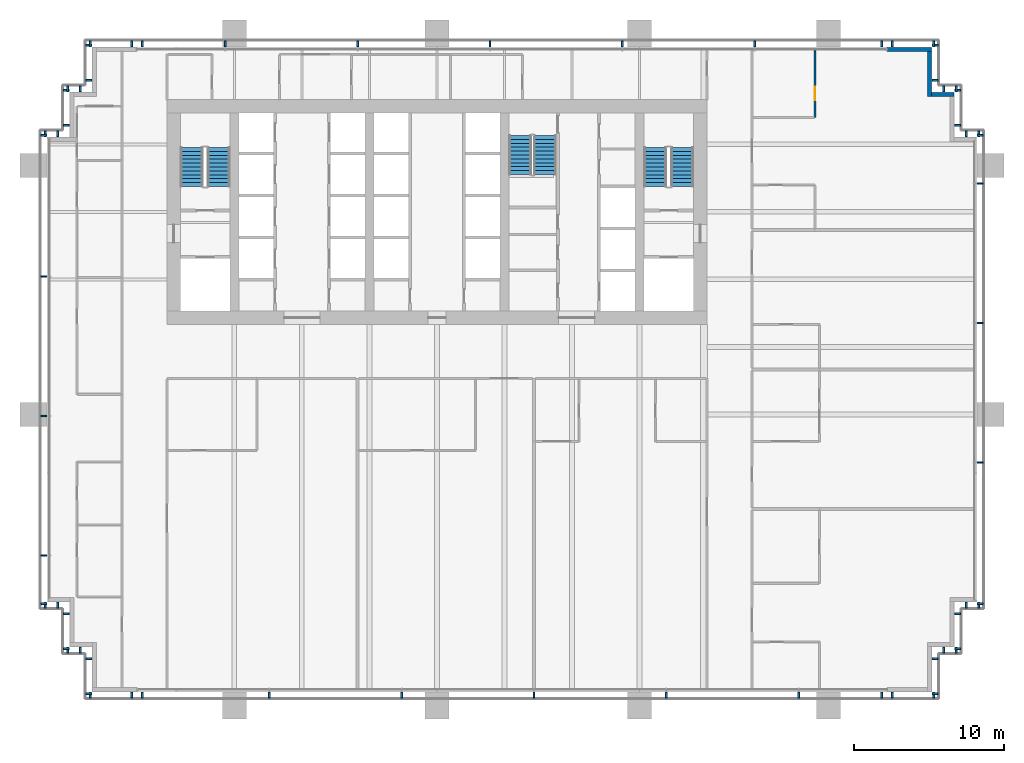
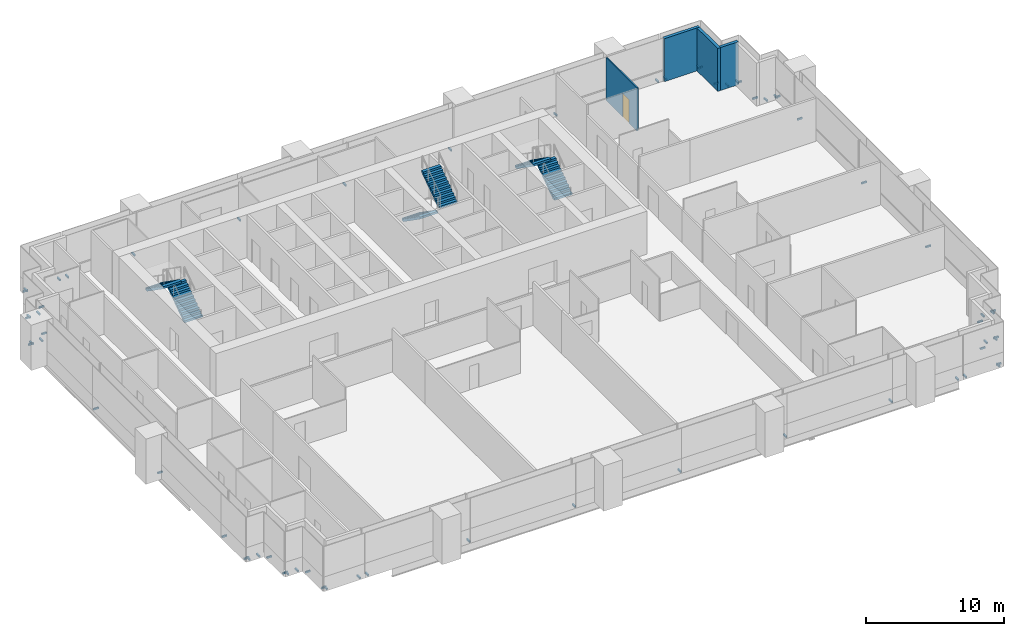
# One storey, part 16 of 19: 64 discrete accessories, 6 stair flights, 4 walls, 1 door, 1 opening, 3 elements without a shape of their own.
"""IFC4 building model written with IfcOpenShell, lengths in metres."""

import ifcopenshell
import ifcopenshell.guid

model = None  # the IFC model being written
_history = None  # IfcOwnerHistory: only IFC2X3 demands one
_inside = {}  # id of a spatial element -> (the spatial element, [elements in it])
_under = {}  # id of a project, library or spatial element -> (it, [spatial elements below it])
_declared = {}  # id of a project -> (the project, [libraries it declares])
_typed = {}  # id of a type object -> (the type object, [elements of that type])
_made_of = {}  # id of a material, layer set ... -> (it, [elements and type objects made of it])


def new_model(schema):
    """Start an empty IFC model of exactly this schema.

    Asked for "IFC4X3", IfcOpenShell would pick the latest addendum, in which some entities
    have other attributes; the version numbers below select the first issue.
    IFC2X3 requires an IfcOwnerHistory on every rooted entity: one is made here for all.
    """
    global model, _history
    if schema == "IFC4X3":
        model = ifcopenshell.file(schema_version=(4, 3, 0, 0))
    else:
        model = ifcopenshell.file(schema=schema)
    _inside.clear()
    _under.clear()
    _declared.clear()
    _typed.clear()
    _made_of.clear()
    _history = None
    if model.schema == "IFC2X3":
        org = make("IfcOrganization", Name="unknown")
        user = make(
            "IfcPersonAndOrganization",
            ThePerson=make("IfcPerson", FamilyName="unknown"),
            TheOrganization=org,
        )
        app = make(
            "IfcApplication",
            ApplicationDeveloper=org,
            Version="unknown",
            ApplicationFullName="unknown",
            ApplicationIdentifier="unknown",
        )
        _history = make(
            "IfcOwnerHistory",
            OwningUser=user,
            OwningApplication=app,
            ChangeAction="ADDED",
            CreationDate=0,
        )
    return model


def make(cls, **values):
    """One entity of the class cls with the attributes given. An attribute that is None is left unset."""
    return model.create_entity(
        cls, **{name: value for name, value in values.items() if value is not None}
    )


def rooted(cls, **values):
    """An entity with a GlobalId (a new one), such as an element, a storey or a relation."""
    return make(cls, GlobalId=ifcopenshell.guid.new(), OwnerHistory=_history, **values)


def si_unit(unit_type, name, prefix=None):
    """IfcSIUnit, for example si_unit("LENGTHUNIT", "METRE", prefix="MILLI")."""
    return make("IfcSIUnit", UnitType=unit_type, Prefix=prefix, Name=name)


def assignment(units):
    """IfcUnitAssignment: the units of a project."""
    return None if units is None else make("IfcUnitAssignment", Units=units)


def point(xyz):
    """IfcCartesianPoint."""
    return None if xyz is None else make("IfcCartesianPoint", Coordinates=xyz)


def direction(xyz):
    """IfcDirection."""
    return None if xyz is None else make("IfcDirection", DirectionRatios=xyz)


def frame(location, z_axis=None, x_axis=None):
    """IfcAxis2Placement3D, a coordinate frame: its origin and axes. An axis left out is left unset."""
    return make(
        "IfcAxis2Placement3D",
        Location=point(location),
        Axis=direction(z_axis),
        RefDirection=direction(x_axis),
    )


def frame_2d(location, x_axis=None):
    """IfcAxis2Placement2D, a coordinate frame in the plane: its origin and x axis."""
    return make(
        "IfcAxis2Placement2D", Location=point(location), RefDirection=direction(x_axis)
    )


def origin():
    """The frame at (0, 0, 0) with its axes left unset."""
    return frame((0.0, 0.0, 0.0))


def origin_2d():
    """The frame at (0, 0) in the plane with its x axis left unset."""
    return frame_2d((0.0, 0.0))


def place(relative_to, where):
    """IfcLocalPlacement: puts the frame where relative to a parent placement (None: the world)."""
    return make(
        "IfcLocalPlacement", PlacementRelTo=relative_to, RelativePlacement=where
    )


def context(
    kind, dimensions, precision=None, world=None, true_north=None, identifier=None
):
    """IfcGeometricRepresentationContext, for example the 3D "Model" context."""
    return make(
        "IfcGeometricRepresentationContext",
        ContextIdentifier=identifier,
        ContextType=kind,
        CoordinateSpaceDimension=dimensions,
        Precision=precision,
        WorldCoordinateSystem=world,
        TrueNorth=true_north,
    )


def subcontext(parent, identifier, kind, view, scale=None):
    """IfcGeometricRepresentationSubContext, for example "Body" below "Model"."""
    return make(
        "IfcGeometricRepresentationSubContext",
        ContextIdentifier=identifier,
        ContextType=kind,
        ParentContext=parent,
        TargetScale=scale,
        TargetView=view,
    )


def project(units=None, contexts=None):
    """IfcProject with its units and contexts."""
    return rooted(
        "IfcProject",
        Name="project",
        RepresentationContexts=contexts,
        UnitsInContext=assignment(units),
    )


def spatial(cls, under=None, at=None, **own):
    """A site, building, storey or space (cls), placed at a placement, below another one or the project."""
    s = rooted(cls, ObjectPlacement=at, **own)
    if under is not None:
        _under.setdefault(under.id(), (under, []))[1].append(s)
    return s


def polyline(points):
    """IfcPolyline through the points."""
    return make("IfcPolyline", Points=[point(p) for p in points])


def profile(cls, at=None, kind="AREA", **sizes):
    """A parametric profile (cls). Its sizes go by their IFC names, for example OverallWidth=200.0."""
    return make(cls, ProfileType=kind, Position=at, **sizes)


def rectangle(**sizes):
    """IfcRectangleProfileDef."""
    return profile("IfcRectangleProfileDef", **sizes)


def outline(outer, holes=None, kind="AREA"):
    """IfcArbitraryClosedProfileDef: a profile drawn as a closed curve; with holes, ...WithVoids."""
    if holes is None:
        return make("IfcArbitraryClosedProfileDef", ProfileType=kind, OuterCurve=outer)
    return make(
        "IfcArbitraryProfileDefWithVoids",
        ProfileType=kind,
        OuterCurve=outer,
        InnerCurves=holes,
    )


def extrude(swept, where, along, depth):
    """IfcExtrudedAreaSolid: the profile swept, set in the frame where, extruded along a direction by depth."""
    return make(
        "IfcExtrudedAreaSolid",
        SweptArea=swept,
        Position=where,
        ExtrudedDirection=direction(along),
        Depth=depth,
    )


def shape(context_of_items, identifier, shape_type, items):
    """IfcShapeRepresentation: the items that make up one representation, for example the "Body"."""
    return make(
        "IfcShapeRepresentation",
        ContextOfItems=context_of_items,
        RepresentationIdentifier=identifier,
        RepresentationType=shape_type,
        Items=items,
    )


def material(Name=None, Category=None):
    """IfcMaterial."""
    return make("IfcMaterial", Name=Name, Category=Category)


def layer(
    of_material, thickness, ventilated=None, Name=None, Category=None, Priority=None
):
    """IfcMaterialLayer: one layer of a wall or slab, of a material (None: an air gap)."""
    return make(
        "IfcMaterialLayer",
        Material=of_material,
        LayerThickness=thickness,
        IsVentilated=ventilated,
        Name=Name,
        Category=Category,
        Priority=Priority,
    )


def layer_set(layers, Name=None):
    """IfcMaterialLayerSet."""
    return make("IfcMaterialLayerSet", MaterialLayers=layers, LayerSetName=Name)


def made_of(thing, what):
    """Note that an element or type object is made of a material, layer set ...; save() writes the relation."""
    if what is not None:
        _made_of.setdefault(what.id(), (what, []))[1].append(thing)
    return thing


def type_object(cls, material=None, **own):
    """A type object (cls), such as IfcWallType, which elements share."""
    return made_of(rooted(cls, **own), material)


def element(
    cls,
    number,
    at=None,
    inside=None,
    cuts=None,
    type_object=None,
    material=None,
    context=None,
    identifier="Body",
    shape_type=None,
    held_by="IfcProductDefinitionShape",
    body=None,
    shapes=None,
    **own,
):
    """One element of the class cls, such as IfcWall. Its Tag is "e" and its number.

    at: its placement. inside: the storey or other place that contains it. cuts: it is an
    opening in that element (IfcRelVoidsElement). A single representation is given by context,
    identifier, shape_type and body (its items); several are given by shapes. held_by: the class
    of the entity that holds the representations. save() writes the other relations.
    """
    e = rooted(cls, Tag="e%d" % number, ObjectPlacement=at, **own)
    if body is not None:
        shapes = [shape(context, identifier, shape_type, body)]
    if shapes is not None:
        e.Representation = make(held_by, Representations=shapes)
    if inside is not None:
        _inside.setdefault(inside.id(), (inside, []))[1].append(e)
    if cuts is not None:
        rooted(
            "IfcRelVoidsElement", RelatingBuildingElement=cuts, RelatedOpeningElement=e
        )
    if type_object is not None:
        _typed.setdefault(type_object.id(), (type_object, []))[1].append(e)
    return made_of(e, material)


def fill(opening, filler):
    """IfcRelFillsElement: the door or window that sits in an opening."""
    return rooted(
        "IfcRelFillsElement",
        RelatingOpeningElement=opening,
        RelatedBuildingElement=filler,
    )


def aggregate(whole, parts):
    """IfcRelAggregates: a whole, such as a stair, and the parts it consists of."""
    return rooted("IfcRelAggregates", RelatingObject=whole, RelatedObjects=parts)


def save(model, path):
    """Write the relations noted so far, then the file.

    IfcRelAggregates (storeys below a building ...), IfcRelContainedInSpatialStructure (elements
    in a storey), IfcRelDefinesByType, IfcRelAssociatesMaterial and IfcRelDeclares: one each for
    every whole, place, type object, material and project.
    """
    for whole, parts in _under.values():
        aggregate(whole, parts)
    for where, things in _inside.values():
        rooted(
            "IfcRelContainedInSpatialStructure",
            RelatedElements=things,
            RelatingStructure=where,
        )
    for kind, things in _typed.values():
        rooted("IfcRelDefinesByType", RelatedObjects=things, RelatingType=kind)
    for what, things in _made_of.values():
        rooted("IfcRelAssociatesMaterial", RelatedObjects=things, RelatingMaterial=what)
    for by, libraries in _declared.values():
        rooted("IfcRelDeclares", RelatingContext=by, RelatedDefinitions=libraries)
    model.write(path)


model = new_model("IFC4")

# Units and contexts
model_context = context("Model", 3, precision=1e-05, world=origin(), true_north=direction((0.0, 1.0)))
body_context = subcontext(model_context, "Body", "Model", "MODEL_VIEW")
ifc_project = project(units=[si_unit("LENGTHUNIT", "METRE"), si_unit("AREAUNIT", "SQUARE_METRE"), si_unit("VOLUMEUNIT", "CUBIC_METRE"), si_unit("PLANEANGLEUNIT", "RADIAN"), si_unit("MASSUNIT", "GRAM", prefix="KILO")], contexts=[model_context])

# Site, building, storey
site_placement = place(None, origin())
site = spatial("IfcSite", under=ifc_project, at=site_placement, CompositionType="ELEMENT")
building_placement = place(site_placement, origin())
building = spatial("IfcBuilding", under=site, at=building_placement, Name="Rattan Terrace Tower", CompositionType="ELEMENT")
storey_placement = place(building_placement, frame((0.0, 0.0, 111.699951171875)))
storey = spatial("IfcBuildingStorey", under=building, at=storey_placement, Name="L25", CompositionType="ELEMENT", Elevation=111.699951171875)

# Walls
ifc_material_1 = material(Name="Insulated aluminium-clad stud wall", Category="aluminium")
ifc_layer_1 = layer(ifc_material_1, 0.25)
ifc_layer_set_1 = layer_set([ifc_layer_1], Name="Facade Riser Wall 250")
wall_type_1 = type_object("IfcWallType", Name="Facade Riser Wall 250", PredefinedType="SOLIDWALL", material=ifc_layer_set_1)
wall_1_placement = place(storey_placement, frame((34.455078125, 7.830078125, 0.0), z_axis=(0.0, 0.0, 1.0), x_axis=(-1.0, 0.0, 0.0)))
element("IfcWall", 1, at=wall_1_placement, inside=storey, type_object=wall_type_1, Name="Riser wall L25-8", PredefinedType="SOLIDWALL", context=body_context, shape_type="SweptSolid", body=[
    extrude(rectangle(XDim=1.5, YDim=0.25, at=frame_2d((0.75, 0.0))), origin(), (0.0, 0.0, 1.0), 3.800048828125),
])
wall_2_placement = place(storey_placement, frame((32.830078125, 7.705078125, 0.0), z_axis=(0.0, 0.0, 1.0), x_axis=(0.0, 1.0, 0.0)))
element("IfcWall", 2, at=wall_2_placement, inside=storey, type_object=wall_type_1, Name="Riser wall L25-9", PredefinedType="SOLIDWALL", context=body_context, shape_type="SweptSolid", body=[
    extrude(rectangle(XDim=3.0, YDim=0.25, at=frame_2d((1.5, 0.0))), origin(), (0.0, 0.0, 1.0), 3.800048828125),
])
wall_3_placement = place(storey_placement, frame((32.955078125, 10.830078125, 0.0), z_axis=(0.0, 0.0, 1.0), x_axis=(-1.0, 0.0, 0.0)))
element("IfcWall", 3, at=wall_3_placement, inside=storey, type_object=wall_type_1, Name="Riser wall L25-10", PredefinedType="SOLIDWALL", context=body_context, shape_type="SweptSolid", body=[
    extrude(rectangle(XDim=2.955078125, YDim=0.25, at=frame_2d((1.4775390625, 0.0))), origin(), (0.0, 0.0, 1.0), 3.800048828125),
])

# Wall, opening, door
ifc_material_2 = material(Name="Moisture resistant gypsum board partition on steel studs with service cavity", Category="steel")
ifc_layer_2 = layer(ifc_material_2, 0.1201171875)
ifc_layer_set_2 = layer_set([ifc_layer_2], Name="Floors Wet Wall 120")
wall_type_2 = type_object("IfcWallType", Name="Floors Wet Wall 120", PredefinedType="PARTITIONING", material=ifc_layer_set_2)
wall_4_placement = place(storey_placement, frame((25.199951171875, 6.300048828125, 0.0), z_axis=(0.0, 0.0, 1.0), x_axis=(0.0, 1.0, 0.0)))
wall_4 = element("IfcWall", 4, at=wall_4_placement, inside=storey, type_object=wall_type_2, Name="pt-L25-061", PredefinedType="PARTITIONING", context=body_context, shape_type="SweptSolid", body=[
    extrude(rectangle(XDim=4.43994140625, YDim=0.1201171875, at=frame_2d((2.219970703125, 0.0))), origin(), (0.0, 0.0, 1.0), 3.800048828125),
])
opening_placement = place(wall_4_placement, frame((1.162109375, 0.0, 0.0)))
opening = element("IfcOpeningElement", 5, at=opening_placement, cuts=wall_4, Name="Opening L25-D115", PredefinedType="OPENING", context=body_context, shape_type="SweptSolid", body=[
    extrude(rectangle(XDim=0.89990234375, YDim=2.10009765625, at=frame_2d((0.449951171875, 1.050048828125))), frame((0.0, 0.070556640625, 0.0), z_axis=(0.0, -1.0, 0.0), x_axis=(1.0, 0.0, 0.0)), (0.0, 0.0, 1.0), 0.14111328125),
])
ifc_material_3 = material(Name="Solid core timber door, painted", Category="wood")
door_type = type_object("IfcDoorType", Name="Floors Door 900x2100", OperationType="NOTDEFINED", PredefinedType="DOOR", material=ifc_material_3)
door_placement = place(opening_placement, origin())
door = element("IfcDoor", 6, at=door_placement, inside=storey, type_object=door_type, Name="d-L25-115", OperationType="SINGLE_SWING_LEFT", OverallHeight=2.10009765625, OverallWidth=0.89990234375, PredefinedType="DOOR", context=body_context, shape_type="SweptSolid", body=[
    extrude(rectangle(XDim=0.89990234375, YDim=2.10009765625, at=frame_2d((0.449951171875, 1.050048828125))), frame((0.0, 0.02490234375, 0.0), z_axis=(0.0, -1.0, 0.0), x_axis=(1.0, 0.0, 0.0)), (0.0, 0.0, 1.0), 0.050048828125),
])
fill(opening, door)

# Stair, stair flights
ifc_material_4 = material(Name="Concrete C40/50", Category="concrete")
stair_type = type_object("IfcStairType", Name="Core exit stair 1500", PredefinedType="HALF_TURN_STAIR", material=ifc_material_4)
stair_1_placement = place(storey_placement, origin())
stair_1 = element("IfcStair", 7, at=stair_1_placement, inside=storey, type_object=stair_type, Name="L25 exit stair 1", PredefinedType="HALF_TURN_STAIR")
ifc_material_5 = material(Name="Concrete C40/50", Category="concrete")
stair_flight_type = type_object("IfcStairFlightType", Name="Core exit stair flight 1500", PredefinedType="STRAIGHT", material=ifc_material_5)
stair_flight_1_placement = place(storey_placement, frame((-14.550048828125, 1.699951171875, 0.0), z_axis=(0.0, 0.0, 1.0), x_axis=(0.0, 1.0, 0.0)))
stair_flight_1 = element("IfcStairFlight", 8, at=stair_flight_1_placement, type_object=stair_flight_type, Name="S1 flight 1", NumberOfRisers=11, NumberOfTreads=10, PredefinedType="STRAIGHT", RiserHeight=0.181818182, TreadLength=0.26, context=body_context, shape_type="SweptSolid", body=[
    extrude(outline(polyline([(0.0, 0.0), (0.0, 0.181884765625), (0.260009765625, 0.181884765625), (0.260009765625, 0.363525390625), (0.52001953125, 0.363525390625), (0.52001953125, 0.54541015625), (0.780029296875, 0.54541015625), (0.780029296875, 0.727294921875), (1.0400390625, 0.727294921875), (1.0400390625, 0.9091796875), (1.300048828125, 0.9091796875), (1.300048828125, 1.0908203125), (1.56005859375, 1.0908203125), (1.56005859375, 1.272705078125), (1.820068359375, 1.272705078125), (1.820068359375, 1.45458984375), (2.080078125, 1.45458984375), (2.080078125, 1.636474609375), (2.340087890625, 1.636474609375), (2.340087890625, 1.818115234375), (2.60009765625, 1.818115234375), (2.60009765625, 2.0), (2.60009765625, 1.63525390625), (0.261474609375, 0.0), (0.0, 0.0)])), frame((0.0, 0.75, 0.0), z_axis=(0.0, -1.0, 0.0), x_axis=(1.0, 0.0, 0.0)), (0.0, 0.0, 1.0), 1.5),
])
stair_flight_2_placement = place(storey_placement, frame((-16.35009765625, 4.300048828125, 2.0), z_axis=(0.0, 0.0, 1.0), x_axis=(0.0, -1.0, 0.0)))
stair_flight_2 = element("IfcStairFlight", 9, at=stair_flight_2_placement, type_object=stair_flight_type, Name="S1 flight 2", NumberOfRisers=11, NumberOfTreads=10, PredefinedType="STRAIGHT", RiserHeight=0.181818182, TreadLength=0.26, context=body_context, shape_type="SweptSolid", body=[
    extrude(outline(polyline([(0.0, 0.0), (0.0, 0.181884765625), (0.260009765625, 0.181884765625), (0.260009765625, 0.363525390625), (0.52001953125, 0.363525390625), (0.52001953125, 0.54541015625), (0.780029296875, 0.54541015625), (0.780029296875, 0.727294921875), (1.0400390625, 0.727294921875), (1.0400390625, 0.9091796875), (1.300048828125, 0.9091796875), (1.300048828125, 1.0908203125), (1.56005859375, 1.0908203125), (1.56005859375, 1.272705078125), (1.820068359375, 1.272705078125), (1.820068359375, 1.45458984375), (2.080078125, 1.45458984375), (2.080078125, 1.636474609375), (2.340087890625, 1.636474609375), (2.340087890625, 1.818115234375), (2.60009765625, 1.818115234375), (2.60009765625, 2.0), (2.60009765625, 1.63525390625), (0.261474609375, 0.0), (0.0, 0.0)])), frame((0.0, 0.75, 0.0), z_axis=(0.0, -1.0, 0.0), x_axis=(1.0, 0.0, 0.0)), (0.0, 0.0, 1.0), 1.5),
])
aggregate(stair_1, [stair_flight_1, stair_flight_2])

stair_2_placement = place(storey_placement, origin())
stair_2 = element("IfcStair", 10, at=stair_2_placement, inside=storey, type_object=stair_type, Name="L25 exit stair 2", PredefinedType="HALF_TURN_STAIR")
stair_flight_3_placement = place(storey_placement, frame((16.35009765625, 1.699951171875, 0.0), z_axis=(0.0, 0.0, 1.0), x_axis=(0.0, 1.0, 0.0)))
stair_flight_3 = element("IfcStairFlight", 11, at=stair_flight_3_placement, type_object=stair_flight_type, Name="S2 flight 1", NumberOfRisers=11, NumberOfTreads=10, PredefinedType="STRAIGHT", RiserHeight=0.181818182, TreadLength=0.26, context=body_context, shape_type="SweptSolid", body=[
    extrude(outline(polyline([(0.0, 0.0), (0.0, 0.181884765625), (0.260009765625, 0.181884765625), (0.260009765625, 0.363525390625), (0.52001953125, 0.363525390625), (0.52001953125, 0.54541015625), (0.780029296875, 0.54541015625), (0.780029296875, 0.727294921875), (1.0400390625, 0.727294921875), (1.0400390625, 0.9091796875), (1.300048828125, 0.9091796875), (1.300048828125, 1.0908203125), (1.56005859375, 1.0908203125), (1.56005859375, 1.272705078125), (1.820068359375, 1.272705078125), (1.820068359375, 1.45458984375), (2.080078125, 1.45458984375), (2.080078125, 1.636474609375), (2.340087890625, 1.636474609375), (2.340087890625, 1.818115234375), (2.60009765625, 1.818115234375), (2.60009765625, 2.0), (2.60009765625, 1.63525390625), (0.261474609375, 0.0), (0.0, 0.0)])), frame((0.0, 0.75, 0.0), z_axis=(0.0, -1.0, 0.0), x_axis=(1.0, 0.0, 0.0)), (0.0, 0.0, 1.0), 1.5),
])
stair_flight_4_placement = place(storey_placement, frame((14.550048828125, 4.300048828125, 2.0), z_axis=(0.0, 0.0, 1.0), x_axis=(0.0, -1.0, 0.0)))
stair_flight_4 = element("IfcStairFlight", 12, at=stair_flight_4_placement, type_object=stair_flight_type, Name="S2 flight 2", NumberOfRisers=11, NumberOfTreads=10, PredefinedType="STRAIGHT", RiserHeight=0.181818182, TreadLength=0.26, context=body_context, shape_type="SweptSolid", body=[
    extrude(outline(polyline([(0.0, 0.0), (0.0, 0.181884765625), (0.260009765625, 0.181884765625), (0.260009765625, 0.363525390625), (0.52001953125, 0.363525390625), (0.52001953125, 0.54541015625), (0.780029296875, 0.54541015625), (0.780029296875, 0.727294921875), (1.0400390625, 0.727294921875), (1.0400390625, 0.9091796875), (1.300048828125, 0.9091796875), (1.300048828125, 1.0908203125), (1.56005859375, 1.0908203125), (1.56005859375, 1.272705078125), (1.820068359375, 1.272705078125), (1.820068359375, 1.45458984375), (2.080078125, 1.45458984375), (2.080078125, 1.636474609375), (2.340087890625, 1.636474609375), (2.340087890625, 1.818115234375), (2.60009765625, 1.818115234375), (2.60009765625, 2.0), (2.60009765625, 1.63525390625), (0.261474609375, 0.0), (0.0, 0.0)])), frame((0.0, 0.75, 0.0), z_axis=(0.0, -1.0, 0.0), x_axis=(1.0, 0.0, 0.0)), (0.0, 0.0, 1.0), 1.5),
])
aggregate(stair_2, [stair_flight_3, stair_flight_4])

stair_3_placement = place(storey_placement, origin())
stair_3 = element("IfcStair", 13, at=stair_3_placement, inside=storey, type_object=stair_type, Name="L25 exit stair 3", PredefinedType="HALF_TURN_STAIR")
stair_flight_5_placement = place(storey_placement, frame((5.550048828125, 5.10009765625, 0.0), z_axis=(0.0, 0.0, 1.0), x_axis=(0.0, -1.0, 0.0)))
stair_flight_5 = element("IfcStairFlight", 14, at=stair_flight_5_placement, type_object=stair_flight_type, Name="S3 flight 1", NumberOfRisers=11, NumberOfTreads=10, PredefinedType="STRAIGHT", RiserHeight=0.181818182, TreadLength=0.26, context=body_context, shape_type="SweptSolid", body=[
    extrude(outline(polyline([(0.0, 0.0), (0.0, 0.181884765625), (0.260009765625, 0.181884765625), (0.260009765625, 0.363525390625), (0.52001953125, 0.363525390625), (0.52001953125, 0.54541015625), (0.780029296875, 0.54541015625), (0.780029296875, 0.727294921875), (1.0400390625, 0.727294921875), (1.0400390625, 0.9091796875), (1.300048828125, 0.9091796875), (1.300048828125, 1.0908203125), (1.56005859375, 1.0908203125), (1.56005859375, 1.272705078125), (1.820068359375, 1.272705078125), (1.820068359375, 1.45458984375), (2.080078125, 1.45458984375), (2.080078125, 1.636474609375), (2.340087890625, 1.636474609375), (2.340087890625, 1.818115234375), (2.60009765625, 1.818115234375), (2.60009765625, 2.0), (2.60009765625, 1.63525390625), (0.261474609375, 0.0), (0.0, 0.0)])), frame((0.0, 0.75, 0.0), z_axis=(0.0, -1.0, 0.0), x_axis=(1.0, 0.0, 0.0)), (0.0, 0.0, 1.0), 1.5),
])
stair_flight_6_placement = place(storey_placement, frame((7.199951171875, 2.5, 2.0), z_axis=(0.0, 0.0, 1.0), x_axis=(0.0, 1.0, 0.0)))
stair_flight_6 = element("IfcStairFlight", 15, at=stair_flight_6_placement, type_object=stair_flight_type, Name="S3 flight 2", NumberOfRisers=11, NumberOfTreads=10, PredefinedType="STRAIGHT", RiserHeight=0.181818182, TreadLength=0.26, context=body_context, shape_type="SweptSolid", body=[
    extrude(outline(polyline([(0.0, 0.0), (0.0, 0.181884765625), (0.260009765625, 0.181884765625), (0.260009765625, 0.363525390625), (0.52001953125, 0.363525390625), (0.52001953125, 0.54541015625), (0.780029296875, 0.54541015625), (0.780029296875, 0.727294921875), (1.0400390625, 0.727294921875), (1.0400390625, 0.9091796875), (1.300048828125, 0.9091796875), (1.300048828125, 1.0908203125), (1.56005859375, 1.0908203125), (1.56005859375, 1.272705078125), (1.820068359375, 1.272705078125), (1.820068359375, 1.45458984375), (2.080078125, 1.45458984375), (2.080078125, 1.636474609375), (2.340087890625, 1.636474609375), (2.340087890625, 1.818115234375), (2.60009765625, 1.818115234375), (2.60009765625, 2.0), (2.60009765625, 1.63525390625), (0.261474609375, 0.0), (0.0, 0.0)])), frame((0.0, 0.75, 0.0), z_axis=(0.0, -1.0, 0.0), x_axis=(1.0, 0.0, 0.0)), (0.0, 0.0, 1.0), 1.5),
])
aggregate(stair_3, [stair_flight_5, stair_flight_6])

# Discrete accessories
for number, where, z_axis, x_axis, name in (
    (16, (30.340087890625, -32.2099609375, -0.169921875), (0.0, 0.0, 1.0), (1.0, 0.0, 0.0), "Panel bracket L25-1"),
    (17, (33.110107421875, -32.2099609375, -0.169921875), (0.0, 0.0, 1.0), (1.0, 0.0, 0.0), "Panel bracket L25-2"),
    (18, (33.2099609375, -32.110107421875, -0.169921875), (0.0, 0.0, 1.0), (0.0, 1.0, 0.0), "Panel bracket L25-3"),
    (19, (33.2099609375, -29.7900390625, -0.169921875), (0.0, 0.0, 1.0), (0.0, 1.0, 0.0), "Panel bracket L25-4"),
    (20, (33.7900390625, -29.2099609375, -0.169921875), (0.0, 0.0, 1.0), (1.0, 0.0, 0.0), "Panel bracket L25-5"),
    (21, (34.610107421875, -29.2099609375, -0.169921875), (0.0, 0.0, 1.0), (1.0, 0.0, 0.0), "Panel bracket L25-6"),
    (22, (34.7099609375, -29.110107421875, -0.169921875), (0.0, 0.0, 1.0), (0.0, 1.0, 0.0), "Panel bracket L25-7"),
    (23, (34.7099609375, -26.7900390625, -0.169921875), (0.0, 0.0, 1.0), (0.0, 1.0, 0.0), "Panel bracket L25-8"),
    (24, (35.2900390625, -26.2099609375, -0.169921875), (0.0, 0.0, 1.0), (1.0, 0.0, 0.0), "Panel bracket L25-9"),
    (25, (36.110107421875, -26.2099609375, -0.169921875), (0.0, 0.0, 1.0), (1.0, 0.0, 0.0), "Panel bracket L25-10"),
    (26, (36.2099609375, -26.110107421875, -0.169921875), (0.0, 0.0, 1.0), (0.0, 1.0, 0.0), "Panel bracket L25-11"),
    (27, (36.2099609375, -16.699951171875, -0.169921875), (0.0, 0.0, 1.0), (0.0, 1.0, 0.0), "Panel bracket L25-12"),
    (28, (36.2099609375, -7.39990234375, -0.169921875), (0.0, 0.0, 1.0), (0.0, 1.0, 0.0), "Panel bracket L25-13"),
    (29, (36.2099609375, 1.89990234375, -0.169921875), (0.0, 0.0, 1.0), (0.0, 1.0, 0.0), "Panel bracket L25-14"),
    (30, (36.2099609375, 5.110107421875, -0.169921875), (0.0, 0.0, 1.0), (0.0, 1.0, 0.0), "Panel bracket L25-15"),
    (31, (36.110107421875, 5.2099609375, -0.169921875), (0.0, 0.0, 1.0), (-1.0, 0.0, 0.0), "Panel bracket L25-16"),
    (32, (35.2900390625, 5.2099609375, -0.169921875), (0.0, 0.0, 1.0), (-1.0, 0.0, 0.0), "Panel bracket L25-17"),
    (33, (34.7099609375, 5.7900390625, -0.169921875), (0.0, 0.0, 1.0), (0.0, 1.0, 0.0), "Panel bracket L25-18"),
    (34, (34.7099609375, 8.110107421875, -0.169921875), (0.0, 0.0, 1.0), (0.0, 1.0, 0.0), "Panel bracket L25-19"),
    (35, (34.610107421875, 8.2099609375, -0.169921875), (0.0, 0.0, 1.0), (-1.0, 0.0, 0.0), "Panel bracket L25-20"),
    (36, (33.7900390625, 8.2099609375, -0.169921875), (0.0, 0.0, 1.0), (-1.0, 0.0, 0.0), "Panel bracket L25-21"),
    (37, (33.2099609375, 8.7900390625, -0.169921875), (0.0, 0.0, 1.0), (0.0, 1.0, 0.0), "Panel bracket L25-22"),
    (38, (33.2099609375, 11.110107421875, -0.169921875), (0.0, 0.0, 1.0), (0.0, 1.0, 0.0), "Panel bracket L25-23"),
    (39, (33.110107421875, 11.2099609375, -0.169921875), (0.0, 0.0, 1.0), (-1.0, 0.0, 0.0), "Panel bracket L25-24"),
    (40, (30.340087890625, 11.2099609375, -0.169921875), (0.0, 0.0, 1.0), (-1.0, 0.0, 0.0), "Panel bracket L25-25"),
    (41, (29.659912109375, 11.2099609375, -0.169921875), (0.0, 0.0, 1.0), (-1.0, 0.0, 0.0), "Panel bracket L25-26"),
    (42, (21.177001953125, 11.2099609375, -0.169921875), (0.0, 0.0, 1.0), (-1.0, 0.0, 0.0), "Panel bracket L25-27"),
    (43, (12.35400390625, 11.2099609375, -0.169921875), (0.0, 0.0, 1.0), (-1.0, 0.0, 0.0), "Panel bracket L25-28"),
    (44, (3.531005859375, 11.2099609375, -0.169921875), (0.0, 0.0, 1.0), (-1.0, 0.0, 0.0), "Panel bracket L25-29"),
    (45, (-5.2919921875, 11.2099609375, -0.169921875), (0.0, 0.0, 1.0), (-1.0, 0.0, 0.0), "Panel bracket L25-30"),
    (46, (-14.114990234375, 11.2099609375, -0.169921875), (0.0, 0.0, 1.0), (-1.0, 0.0, 0.0), "Panel bracket L25-31"),
    (47, (-19.659912109375, 11.2099609375, -0.169921875), (0.0, 0.0, 1.0), (-1.0, 0.0, 0.0), "Panel bracket L25-32"),
    (48, (-20.340087890625, 11.2099609375, -0.169921875), (0.0, 0.0, 1.0), (-1.0, 0.0, 0.0), "Panel bracket L25-33"),
    (49, (-23.110107421875, 11.2099609375, -0.169921875), (0.0, 0.0, 1.0), (-1.0, 0.0, 0.0), "Panel bracket L25-34"),
    (50, (-23.2099609375, 11.110107421875, -0.169921875), (0.0, 0.0, 1.0), (0.0, -1.0, 0.0), "Panel bracket L25-35"),
    (51, (-23.2099609375, 8.7900390625, -0.169921875), (0.0, 0.0, 1.0), (0.0, -1.0, 0.0), "Panel bracket L25-36"),
    (52, (-23.7900390625, 8.2099609375, -0.169921875), (0.0, 0.0, 1.0), (-1.0, 0.0, 0.0), "Panel bracket L25-37"),
    (53, (-24.610107421875, 8.2099609375, -0.169921875), (0.0, 0.0, 1.0), (-1.0, 0.0, 0.0), "Panel bracket L25-38"),
    (54, (-24.7099609375, 8.110107421875, -0.169921875), (0.0, 0.0, 1.0), (0.0, -1.0, 0.0), "Panel bracket L25-39"),
    (55, (-24.7099609375, 5.7900390625, -0.169921875), (0.0, 0.0, 1.0), (0.0, -1.0, 0.0), "Panel bracket L25-40"),
    (56, (-25.2900390625, 5.2099609375, -0.169921875), (0.0, 0.0, 1.0), (-1.0, 0.0, 0.0), "Panel bracket L25-41"),
    (57, (-26.110107421875, 5.2099609375, -0.169921875), (0.0, 0.0, 1.0), (-1.0, 0.0, 0.0), "Panel bracket L25-42"),
    (58, (-26.2099609375, 5.110107421875, -0.169921875), (0.0, 0.0, 1.0), (0.0, -1.0, 0.0), "Panel bracket L25-43"),
    (59, (-26.2099609375, -4.300048828125, -0.169921875), (0.0, 0.0, 1.0), (0.0, -1.0, 0.0), "Panel bracket L25-44"),
    (60, (-26.2099609375, -13.60009765625, -0.169921875), (0.0, 0.0, 1.0), (0.0, -1.0, 0.0), "Panel bracket L25-45"),
    (61, (-26.2099609375, -22.89990234375, -0.169921875), (0.0, 0.0, 1.0), (0.0, -1.0, 0.0), "Panel bracket L25-46"),
    (62, (-26.2099609375, -26.110107421875, -0.169921875), (0.0, 0.0, 1.0), (0.0, -1.0, 0.0), "Panel bracket L25-47"),
    (63, (-26.110107421875, -26.2099609375, -0.169921875), (0.0, 0.0, 1.0), (1.0, 0.0, 0.0), "Panel bracket L25-48"),
    (64, (-25.2900390625, -26.2099609375, -0.169921875), (0.0, 0.0, 1.0), (1.0, 0.0, 0.0), "Panel bracket L25-49"),
    (65, (-24.7099609375, -26.7900390625, -0.169921875), (0.0, 0.0, 1.0), (0.0, -1.0, 0.0), "Panel bracket L25-50"),
    (66, (-24.7099609375, -29.110107421875, -0.169921875), (0.0, 0.0, 1.0), (0.0, -1.0, 0.0), "Panel bracket L25-51"),
    (67, (-24.610107421875, -29.2099609375, -0.169921875), (0.0, 0.0, 1.0), (1.0, 0.0, 0.0), "Panel bracket L25-52"),
    (68, (-23.7900390625, -29.2099609375, -0.169921875), (0.0, 0.0, 1.0), (1.0, 0.0, 0.0), "Panel bracket L25-53"),
    (69, (-23.2099609375, -29.7900390625, -0.169921875), (0.0, 0.0, 1.0), (0.0, -1.0, 0.0), "Panel bracket L25-54"),
    (70, (-23.2099609375, -32.110107421875, -0.169921875), (0.0, 0.0, 1.0), (0.0, -1.0, 0.0), "Panel bracket L25-55"),
    (71, (-23.110107421875, -32.2099609375, -0.169921875), (0.0, 0.0, 1.0), (1.0, 0.0, 0.0), "Panel bracket L25-56"),
    (72, (-20.340087890625, -32.2099609375, -0.169921875), (0.0, 0.0, 1.0), (1.0, 0.0, 0.0), "Panel bracket L25-57"),
    (73, (-19.659912109375, -32.2099609375, -0.169921875), (0.0, 0.0, 1.0), (1.0, 0.0, 0.0), "Panel bracket L25-58"),
    (74, (-11.177001953125, -32.2099609375, -0.169921875), (0.0, 0.0, 1.0), (1.0, 0.0, 0.0), "Panel bracket L25-59"),
    (75, (-2.35400390625, -32.2099609375, -0.169921875), (0.0, 0.0, 1.0), (1.0, 0.0, 0.0), "Panel bracket L25-60"),
    (76, (6.468994140625, -32.2099609375, -0.169921875), (0.0, 0.0, 1.0), (1.0, 0.0, 0.0), "Panel bracket L25-61"),
    (77, (15.2919921875, -32.2099609375, -0.169921875), (0.0, 0.0, 1.0), (1.0, 0.0, 0.0), "Panel bracket L25-62"),
    (78, (24.114990234375, -32.2099609375, -0.169921875), (0.0, 0.0, 1.0), (1.0, 0.0, 0.0), "Panel bracket L25-63"),
    (79, (29.659912109375, -32.2099609375, -0.169921875), (0.0, 0.0, 1.0), (1.0, 0.0, 0.0), "Panel bracket L25-64"),
):
    element("IfcDiscreteAccessory", number, at=place(storey_placement, frame(where, z_axis=z_axis, x_axis=x_axis)), inside=storey, Name=name, PredefinedType="BRACKET", context=body_context, shape_type="SweptSolid", body=[
        extrude(rectangle(XDim=0.1201171875, YDim=0.419921875, at=origin_2d()), origin(), (0.0, 0.0, 1.0), 0.139892578125),
    ])

save(model, "model.ifc")
